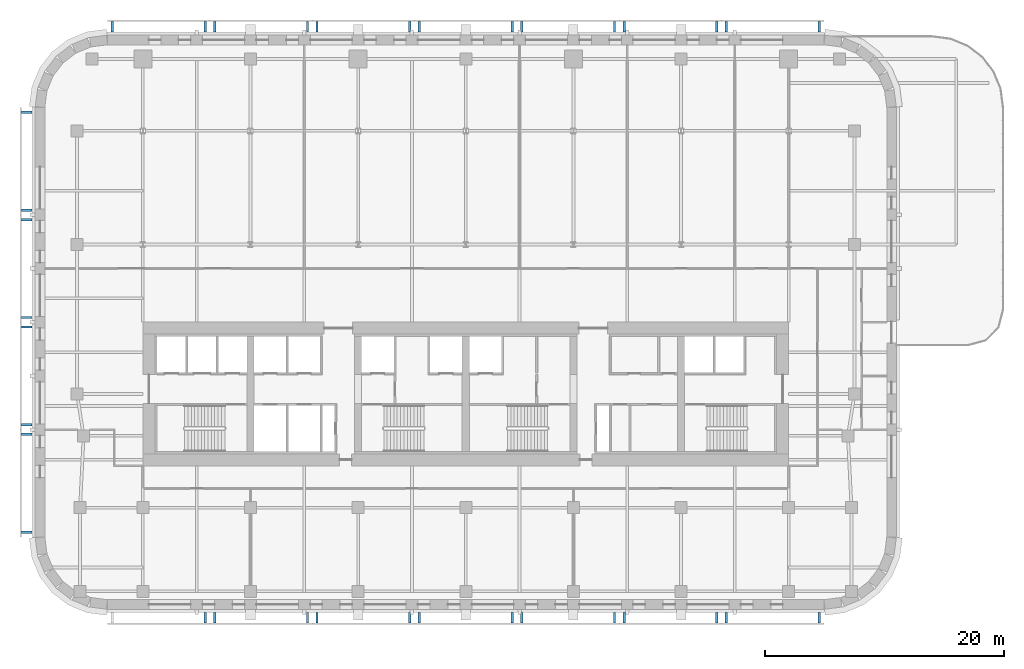
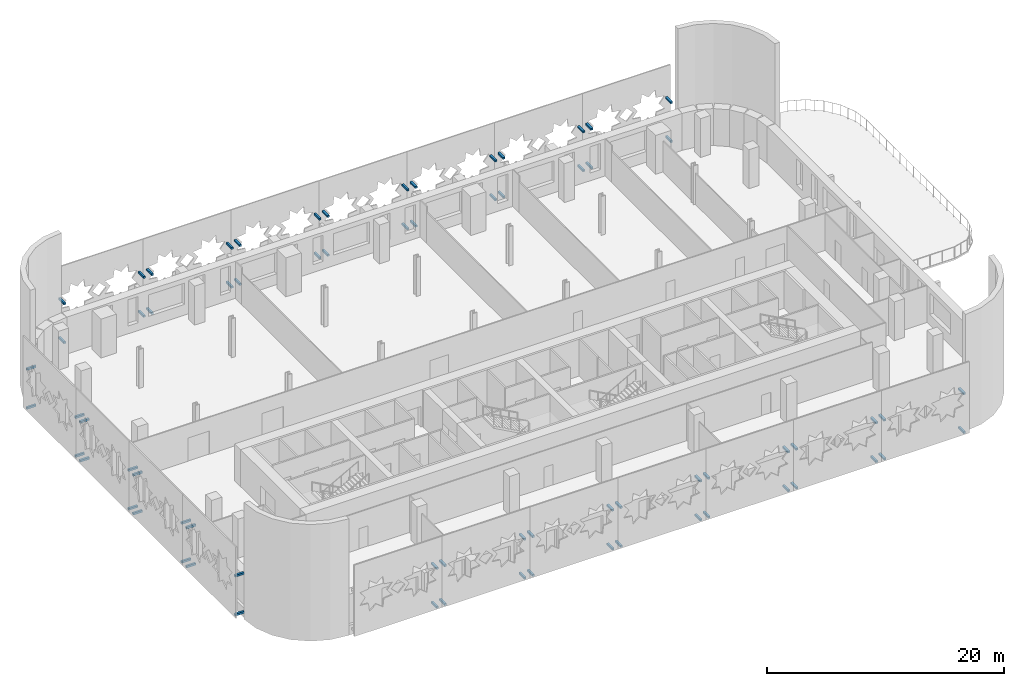
# One storey, part 8 of 11: 70 discrete accessories.
"""IFC4 building model written with IfcOpenShell, lengths in metres."""

from ifc_helpers import new_model, si_unit, direction, frame, origin, origin_2d, place, context, subcontext, project, spatial, rectangle, extrude, material, type_object, element, save


model = new_model("IFC4")

# Units and contexts
model_context = context("Model", 3, precision=1e-05, world=origin(), true_north=direction((0.0, 1.0)))
body_context = subcontext(model_context, "Body", "Model", "MODEL_VIEW")
ifc_project = project(units=[si_unit("LENGTHUNIT", "METRE"), si_unit("AREAUNIT", "SQUARE_METRE"), si_unit("VOLUMEUNIT", "CUBIC_METRE"), si_unit("PLANEANGLEUNIT", "RADIAN"), si_unit("MASSUNIT", "GRAM", prefix="KILO")], contexts=[model_context])

# Site, building, storey
site_placement = place(None, origin())
site = spatial("IfcSite", under=ifc_project, at=site_placement, CompositionType="ELEMENT")
building_placement = place(site_placement, origin())
building = spatial("IfcBuilding", under=site, at=building_placement, Name="Zellij Exchange Tower", CompositionType="ELEMENT")
storey_placement = place(building_placement, frame((0.0, 0.0, 144.5)))
storey = spatial("IfcBuildingStorey", under=building, at=storey_placement, Name="L32", CompositionType="ELEMENT", Elevation=144.5)

# Discrete accessories
ifc_material = material(Name="Stainless steel", Category="steel")
discrete_accessory_type = type_object("IfcDiscreteAccessoryType", Name="ENV-BR1 Stone panel bracket 200", PredefinedType="USERDEFINED", material=ifc_material)
for number, where, z_axis, x_axis, name in (
    (1, (-36.699951171875, 15.547607421875, 0.2998046875), (0.0, 0.0, 1.0), (0.0, -1.0, 0.0), "Panel bracket"),
    (2, (-36.699951171875, 7.373779296875, 0.2998046875), (0.0, 0.0, 1.0), (0.0, -1.0, 0.0), "Panel bracket"),
    (3, (-36.699951171875, 15.547607421875, 4.2998046875), (0.0, 0.0, 1.0), (0.0, -1.0, 0.0), "Panel bracket"),
    (4, (-36.699951171875, 7.373779296875, 4.2998046875), (0.0, 0.0, 1.0), (0.0, -1.0, 0.0), "Panel bracket"),
    (5, (-36.699951171875, 6.57373046875, 0.2998046875), (0.0, 0.0, 1.0), (0.0, -1.0, 0.0), "Panel bracket"),
    (6, (-36.699951171875, -1.60009765625, 0.2998046875), (0.0, 0.0, 1.0), (0.0, -1.0, 0.0), "Panel bracket"),
    (7, (-36.699951171875, 6.57373046875, 4.2998046875), (0.0, 0.0, 1.0), (0.0, -1.0, 0.0), "Panel bracket"),
    (8, (-36.699951171875, -1.60009765625, 4.2998046875), (0.0, 0.0, 1.0), (0.0, -1.0, 0.0), "Panel bracket"),
    (9, (-36.699951171875, -2.39990234375, 0.2998046875), (0.0, 0.0, 1.0), (0.0, -1.0, 0.0), "Panel bracket"),
    (10, (-36.699951171875, -10.57373046875, 0.2998046875), (0.0, 0.0, 1.0), (0.0, -1.0, 0.0), "Panel bracket"),
    (11, (-36.699951171875, -2.39990234375, 4.2998046875), (0.0, 0.0, 1.0), (0.0, -1.0, 0.0), "Panel bracket"),
    (12, (-36.699951171875, -10.57373046875, 4.2998046875), (0.0, 0.0, 1.0), (0.0, -1.0, 0.0), "Panel bracket"),
    (13, (-36.699951171875, -11.373779296875, 0.2998046875), (0.0, 0.0, 1.0), (0.0, -1.0, 0.0), "Panel bracket"),
    (14, (-36.699951171875, -19.547607421875, 0.2998046875), (0.0, 0.0, 1.0), (0.0, -1.0, 0.0), "Panel bracket"),
    (15, (-36.699951171875, -11.373779296875, 4.2998046875), (0.0, 0.0, 1.0), (0.0, -1.0, 0.0), "Panel bracket"),
    (16, (-36.699951171875, -19.547607421875, 4.2998046875), (0.0, 0.0, 1.0), (0.0, -1.0, 0.0), "Panel bracket"),
    (17, (-21.791015625, -26.699951171875, 0.2998046875), (0.0, 0.0, 1.0), (1.0, 0.0, 0.0), "Panel bracket"),
    (18, (-21.791015625, -26.699951171875, 4.2998046875), (0.0, 0.0, 1.0), (1.0, 0.0, 0.0), "Panel bracket"),
    (19, (-20.9912109375, -26.699951171875, 0.2998046875), (0.0, 0.0, 1.0), (1.0, 0.0, 0.0), "Panel bracket"),
    (20, (-13.234619140625, -26.699951171875, 0.2998046875), (0.0, 0.0, 1.0), (1.0, 0.0, 0.0), "Panel bracket"),
    (21, (-20.9912109375, -26.699951171875, 4.2998046875), (0.0, 0.0, 1.0), (1.0, 0.0, 0.0), "Panel bracket"),
    (22, (-13.234619140625, -26.699951171875, 4.2998046875), (0.0, 0.0, 1.0), (1.0, 0.0, 0.0), "Panel bracket"),
    (23, (-12.434814453125, -26.699951171875, 0.2998046875), (0.0, 0.0, 1.0), (1.0, 0.0, 0.0), "Panel bracket"),
    (24, (-4.67822265625, -26.699951171875, 0.2998046875), (0.0, 0.0, 1.0), (1.0, 0.0, 0.0), "Panel bracket"),
    (25, (-12.434814453125, -26.699951171875, 4.2998046875), (0.0, 0.0, 1.0), (1.0, 0.0, 0.0), "Panel bracket"),
    (26, (-4.67822265625, -26.699951171875, 4.2998046875), (0.0, 0.0, 1.0), (1.0, 0.0, 0.0), "Panel bracket"),
    (27, (-3.878173828125, -26.699951171875, 0.2998046875), (0.0, 0.0, 1.0), (1.0, 0.0, 0.0), "Panel bracket"),
    (28, (3.878173828125, -26.699951171875, 0.2998046875), (0.0, 0.0, 1.0), (1.0, 0.0, 0.0), "Panel bracket"),
    (29, (-3.878173828125, -26.699951171875, 4.2998046875), (0.0, 0.0, 1.0), (1.0, 0.0, 0.0), "Panel bracket"),
    (30, (3.878173828125, -26.699951171875, 4.2998046875), (0.0, 0.0, 1.0), (1.0, 0.0, 0.0), "Panel bracket"),
    (31, (4.67822265625, -26.699951171875, 0.2998046875), (0.0, 0.0, 1.0), (1.0, 0.0, 0.0), "Panel bracket"),
    (32, (12.434814453125, -26.699951171875, 0.2998046875), (0.0, 0.0, 1.0), (1.0, 0.0, 0.0), "Panel bracket"),
    (33, (4.67822265625, -26.699951171875, 4.2998046875), (0.0, 0.0, 1.0), (1.0, 0.0, 0.0), "Panel bracket"),
    (34, (12.434814453125, -26.699951171875, 4.2998046875), (0.0, 0.0, 1.0), (1.0, 0.0, 0.0), "Panel bracket"),
    (35, (13.234619140625, -26.699951171875, 0.2998046875), (0.0, 0.0, 1.0), (1.0, 0.0, 0.0), "Panel bracket"),
    (36, (20.9912109375, -26.699951171875, 0.2998046875), (0.0, 0.0, 1.0), (1.0, 0.0, 0.0), "Panel bracket"),
    (37, (13.234619140625, -26.699951171875, 4.2998046875), (0.0, 0.0, 1.0), (1.0, 0.0, 0.0), "Panel bracket"),
    (38, (20.9912109375, -26.699951171875, 4.2998046875), (0.0, 0.0, 1.0), (1.0, 0.0, 0.0), "Panel bracket"),
    (39, (21.791015625, -26.699951171875, 0.2998046875), (0.0, 0.0, 1.0), (1.0, 0.0, 0.0), "Panel bracket"),
    (40, (29.547607421875, -26.699951171875, 0.2998046875), (0.0, 0.0, 1.0), (1.0, 0.0, 0.0), "Panel bracket"),
    (41, (21.791015625, -26.699951171875, 4.2998046875), (0.0, 0.0, 1.0), (1.0, 0.0, 0.0), "Panel bracket"),
    (42, (29.547607421875, -26.699951171875, 4.2998046875), (0.0, 0.0, 1.0), (1.0, 0.0, 0.0), "Panel bracket"),
    (43, (29.547607421875, 22.699951171875, 0.2998046875), (0.0, 0.0, 1.0), (-1.0, 0.0, 0.0), "Panel bracket"),
    (44, (21.791015625, 22.699951171875, 0.2998046875), (0.0, 0.0, 1.0), (-1.0, 0.0, 0.0), "Panel bracket"),
    (45, (29.547607421875, 22.699951171875, 4.2998046875), (0.0, 0.0, 1.0), (-1.0, 0.0, 0.0), "Panel bracket"),
    (46, (21.791015625, 22.699951171875, 4.2998046875), (0.0, 0.0, 1.0), (-1.0, 0.0, 0.0), "Panel bracket"),
    (47, (20.9912109375, 22.699951171875, 0.2998046875), (0.0, 0.0, 1.0), (-1.0, 0.0, 0.0), "Panel bracket"),
    (48, (13.234619140625, 22.699951171875, 0.2998046875), (0.0, 0.0, 1.0), (-1.0, 0.0, 0.0), "Panel bracket"),
    (49, (20.9912109375, 22.699951171875, 4.2998046875), (0.0, 0.0, 1.0), (-1.0, 0.0, 0.0), "Panel bracket"),
    (50, (13.234619140625, 22.699951171875, 4.2998046875), (0.0, 0.0, 1.0), (-1.0, 0.0, 0.0), "Panel bracket"),
    (51, (12.434814453125, 22.699951171875, 0.2998046875), (0.0, 0.0, 1.0), (-1.0, 0.0, 0.0), "Panel bracket"),
    (52, (4.67822265625, 22.699951171875, 0.2998046875), (0.0, 0.0, 1.0), (-1.0, 0.0, 0.0), "Panel bracket"),
    (53, (12.434814453125, 22.699951171875, 4.2998046875), (0.0, 0.0, 1.0), (-1.0, 0.0, 0.0), "Panel bracket"),
    (54, (4.67822265625, 22.699951171875, 4.2998046875), (0.0, 0.0, 1.0), (-1.0, 0.0, 0.0), "Panel bracket"),
    (55, (3.878173828125, 22.699951171875, 0.2998046875), (0.0, 0.0, 1.0), (-1.0, 0.0, 0.0), "Panel bracket"),
    (56, (-3.878173828125, 22.699951171875, 0.2998046875), (0.0, 0.0, 1.0), (-1.0, 0.0, 0.0), "Panel bracket"),
    (57, (3.878173828125, 22.699951171875, 4.2998046875), (0.0, 0.0, 1.0), (-1.0, 0.0, 0.0), "Panel bracket"),
    (58, (-3.878173828125, 22.699951171875, 4.2998046875), (0.0, 0.0, 1.0), (-1.0, 0.0, 0.0), "Panel bracket"),
    (59, (-4.67822265625, 22.699951171875, 0.2998046875), (0.0, 0.0, 1.0), (-1.0, 0.0, 0.0), "Panel bracket"),
    (60, (-12.434814453125, 22.699951171875, 0.2998046875), (0.0, 0.0, 1.0), (-1.0, 0.0, 0.0), "Panel bracket"),
    (61, (-4.67822265625, 22.699951171875, 4.2998046875), (0.0, 0.0, 1.0), (-1.0, 0.0, 0.0), "Panel bracket"),
    (62, (-12.434814453125, 22.699951171875, 4.2998046875), (0.0, 0.0, 1.0), (-1.0, 0.0, 0.0), "Panel bracket"),
    (63, (-13.234619140625, 22.699951171875, 0.2998046875), (0.0, 0.0, 1.0), (-1.0, 0.0, 0.0), "Panel bracket"),
    (64, (-20.9912109375, 22.699951171875, 0.2998046875), (0.0, 0.0, 1.0), (-1.0, 0.0, 0.0), "Panel bracket"),
    (65, (-13.234619140625, 22.699951171875, 4.2998046875), (0.0, 0.0, 1.0), (-1.0, 0.0, 0.0), "Panel bracket"),
    (66, (-20.9912109375, 22.699951171875, 4.2998046875), (0.0, 0.0, 1.0), (-1.0, 0.0, 0.0), "Panel bracket"),
    (67, (-21.791015625, 22.699951171875, 0.2998046875), (0.0, 0.0, 1.0), (-1.0, 0.0, 0.0), "Panel bracket"),
    (68, (-29.547607421875, 22.699951171875, 0.2998046875), (0.0, 0.0, 1.0), (-1.0, 0.0, 0.0), "Panel bracket"),
    (69, (-21.791015625, 22.699951171875, 4.2998046875), (0.0, 0.0, 1.0), (-1.0, 0.0, 0.0), "Panel bracket"),
    (70, (-29.547607421875, 22.699951171875, 4.2998046875), (0.0, 0.0, 1.0), (-1.0, 0.0, 0.0), "Panel bracket"),
):
    element("IfcDiscreteAccessory", number, at=place(storey_placement, frame(where, z_axis=z_axis, x_axis=x_axis)), inside=storey, type_object=discrete_accessory_type, Name=name, ObjectType="BRACKET", PredefinedType="USERDEFINED", context=body_context, shape_type="SweptSolid", body=[
        extrude(rectangle(XDim=0.199951171875, YDim=0.89990234375, at=origin_2d()), origin(), (0.0, 0.0, 1.0), 0.199951171875),
    ])

save(model, "model.ifc")
